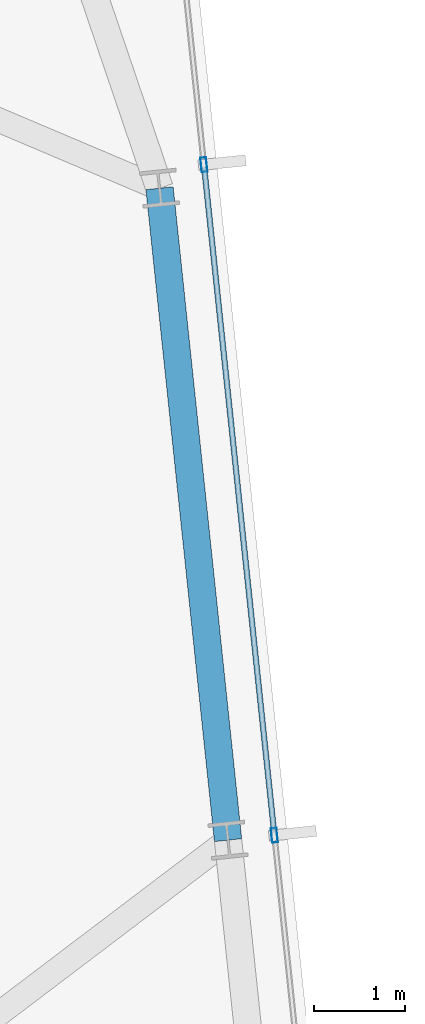
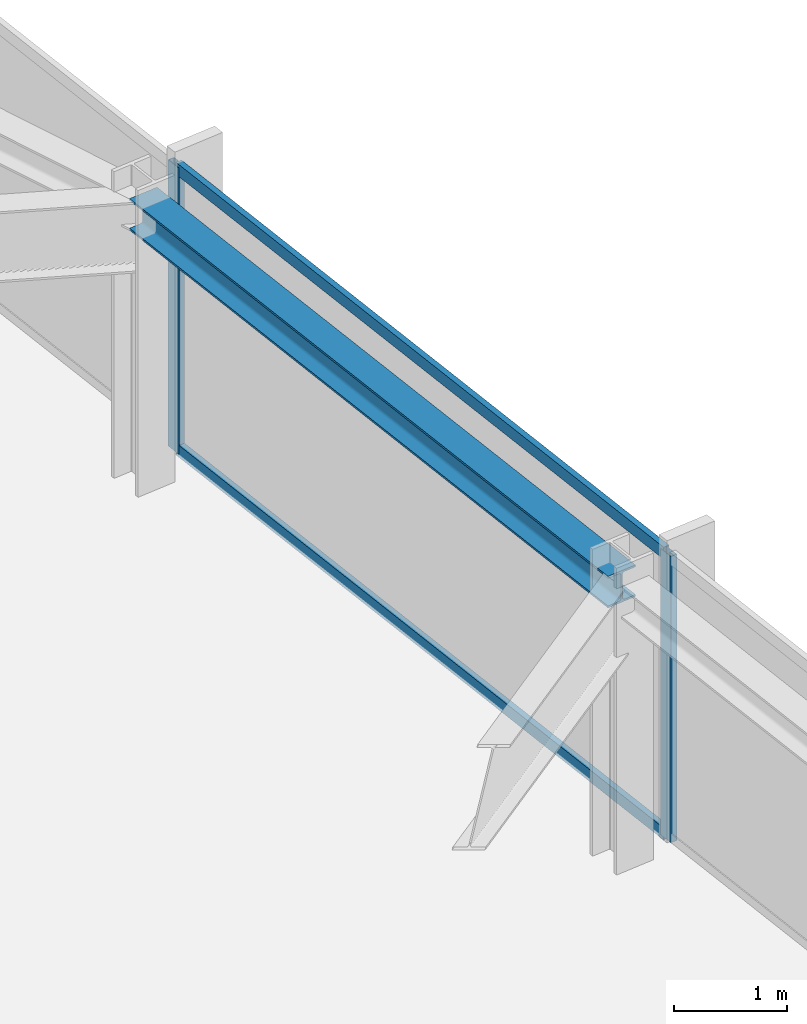
# One storey, part 19 of 32: 4 members, 1 beam, 1 element without a shape of its own.
"""IFC4 building model written with IfcOpenShell, lengths in metres."""

from ifc_helpers import new_model, si_unit, direction, frame, origin, origin_2d, place, context, subcontext, project, spatial, hollow_rectangle, i_section, extrude, material, material_profile, profile_set, type_object, element, aggregate, save


model = new_model("IFC4")

# Units and contexts
model_context = context("Model", 3, precision=1e-05, world=origin(), true_north=direction((0.0, 1.0)))
body_context = subcontext(model_context, "Body", "Model", "MODEL_VIEW")
ifc_project = project(units=[si_unit("LENGTHUNIT", "METRE"), si_unit("AREAUNIT", "SQUARE_METRE"), si_unit("VOLUMEUNIT", "CUBIC_METRE"), si_unit("PLANEANGLEUNIT", "RADIAN"), si_unit("MASSUNIT", "GRAM", prefix="KILO")], contexts=[model_context])

# Site, building, storey
site_placement = place(None, origin())
site = spatial("IfcSite", under=ifc_project, at=site_placement, CompositionType="ELEMENT")
building_placement = place(site_placement, origin())
building = spatial("IfcBuilding", under=site, at=building_placement, Name="Yelkora Congress Tower", CompositionType="ELEMENT")
storey_placement = place(building_placement, frame((0.0, 0.0, 211.10009765625)))
storey = spatial("IfcBuildingStorey", under=building, at=storey_placement, Name="L58", CompositionType="ELEMENT", Elevation=211.10009765625)

# Beam
ifc_material_1 = material(Name="Steel S355J2", Category="steel")
ifc_material_profile_1 = material_profile(ifc_material_1, i_section(OverallWidth=0.300048828125, OverallDepth=0.340087890625, WebThickness=0.011962890625, FlangeThickness=0.021484375, FilletRadius=0.027099609375, at=origin_2d()), Name="HEB 340")
ifc_profile_set_1 = profile_set([ifc_material_profile_1], Name="Steel S355J2")
beam_type = type_object("IfcBeamType", Name="BM-SPAN-HEB340", PredefinedType="SPANDREL", material=ifc_profile_set_1)
beam_placement = place(storey_placement, frame((69.60400390625, 34.296142578125, 2.909912109375), z_axis=(-0.104528914631, 0.994521847928, 0.0), x_axis=(-0.994521847928, -0.104528914631, 0.0)))
element("IfcBeam", 1, at=beam_placement, inside=storey, type_object=beam_type, Name="L58 Perimeter Beam 11", PredefinedType="SPANDREL", context=body_context, shape_type="SweptSolid", body=[
    extrude(i_section(OverallWidth=0.300048828125, OverallDepth=0.340087890625, WebThickness=0.011962890625, FlangeThickness=0.021484375, FilletRadius=0.027099609375, at=origin_2d()), origin(), (0.0, 0.0, 1.0), 7.175048828125),
])

# Curtain wall, members
ifc_material_2 = material(Name="Anodised aluminium and insulated glass", Category="aluminium")
curtain_wall_type = type_object("IfcCurtainWallType", Name="CW-SYS-B4", PredefinedType="NOTDEFINED", material=ifc_material_2)
curtain_wall_placement = place(storey_placement, origin())
curtain_wall = element("IfcCurtainWall", 2, at=curtain_wall_placement, inside=storey, type_object=curtain_wall_type, Name="L58 Unitised Curtain Wall 15", PredefinedType="NOTDEFINED")
ifc_material_3 = material(Name="Anodised aluminium 6063-T6", Category="aluminium")
ifc_material_profile_2 = material_profile(ifc_material_3, hollow_rectangle(XDim=0.06494140625, YDim=0.159912109375, WallThickness=0.00390625, at=origin_2d()), Name="ALU 65x160x4")
ifc_profile_set_2 = profile_set([ifc_material_profile_2], Name="Anodised aluminium 6063-T6")
member_type_1 = type_object("IfcMemberType", Name="MEM-ML-B4", PredefinedType="MULLION", material=ifc_profile_set_2)
member_1_placement = place(storey_placement, frame((69.33984375, 41.68896484375, 0.0), z_axis=(0.0, 0.0, 1.0), x_axis=(0.994522182968, 0.104525726898, 0.0)))
member_1 = element("IfcMember", 3, at=member_1_placement, type_object=member_type_1, Name="CW-B4 mullion 2", PredefinedType="MULLION", context=body_context, shape_type="SweptSolid", body=[
    extrude(hollow_rectangle(XDim=0.06494140625, YDim=0.159912109375, WallThickness=0.00390625, at=origin_2d()), origin(), (0.0, 0.0, 1.0), 3.079833984375),
])
member_2_placement = place(storey_placement, frame((70.111083984375, 34.349365234375, 0.0), z_axis=(0.0, 0.0, 1.0), x_axis=(0.994522182968, 0.104525726898, 0.0)))
member_2 = element("IfcMember", 4, at=member_2_placement, type_object=member_type_1, Name="CW-B4 mullion 3", PredefinedType="MULLION", context=body_context, shape_type="SweptSolid", body=[
    extrude(hollow_rectangle(XDim=0.06494140625, YDim=0.159912109375, WallThickness=0.00390625, at=origin_2d()), origin(), (0.0, 0.0, 1.0), 3.079833984375),
])
ifc_material_profile_3 = material_profile(ifc_material_3, hollow_rectangle(XDim=0.06005859375, YDim=0.1298828125, WallThickness=0.00390625, at=origin_2d()), Name="ALU 60x130x4")
ifc_profile_set_3 = profile_set([ifc_material_profile_3], Name="Anodised aluminium 6063-T6")
member_type_2 = type_object("IfcMemberType", Name="MEM-TR-B4", PredefinedType="USERDEFINED", material=ifc_profile_set_3)
member_3_placement = place(storey_placement, frame((69.34326171875, 41.65673828125, 0.02978515625), z_axis=(0.104531896307, -0.994521534535, 0.0), x_axis=(0.994521534535, 0.104531896307, 0.0)))
member_3 = element("IfcMember", 5, at=member_3_placement, type_object=member_type_2, Name="CW-B4 transom 2.1", ObjectType="TRANSOM", PredefinedType="USERDEFINED", context=body_context, shape_type="SweptSolid", body=[
    extrude(hollow_rectangle(XDim=0.06005859375, YDim=0.1298828125, WallThickness=0.00390625, at=origin_2d()), origin(), (0.0, 0.0, 1.0), 7.31494140625),
])
member_4_placement = place(storey_placement, frame((69.34326171875, 41.65673828125, 3.0498046875), z_axis=(0.104531896307, -0.994521534535, 0.0), x_axis=(0.994521534535, 0.104531896307, 0.0)))
member_4 = element("IfcMember", 6, at=member_4_placement, type_object=member_type_2, Name="CW-B4 transom 2.2", ObjectType="TRANSOM", PredefinedType="USERDEFINED", context=body_context, shape_type="SweptSolid", body=[
    extrude(hollow_rectangle(XDim=0.06005859375, YDim=0.1298828125, WallThickness=0.00390625, at=origin_2d()), origin(), (0.0, 0.0, 1.0), 7.31494140625),
])
aggregate(curtain_wall, [member_1, member_2, member_3, member_4])

save(model, "model.ifc")
